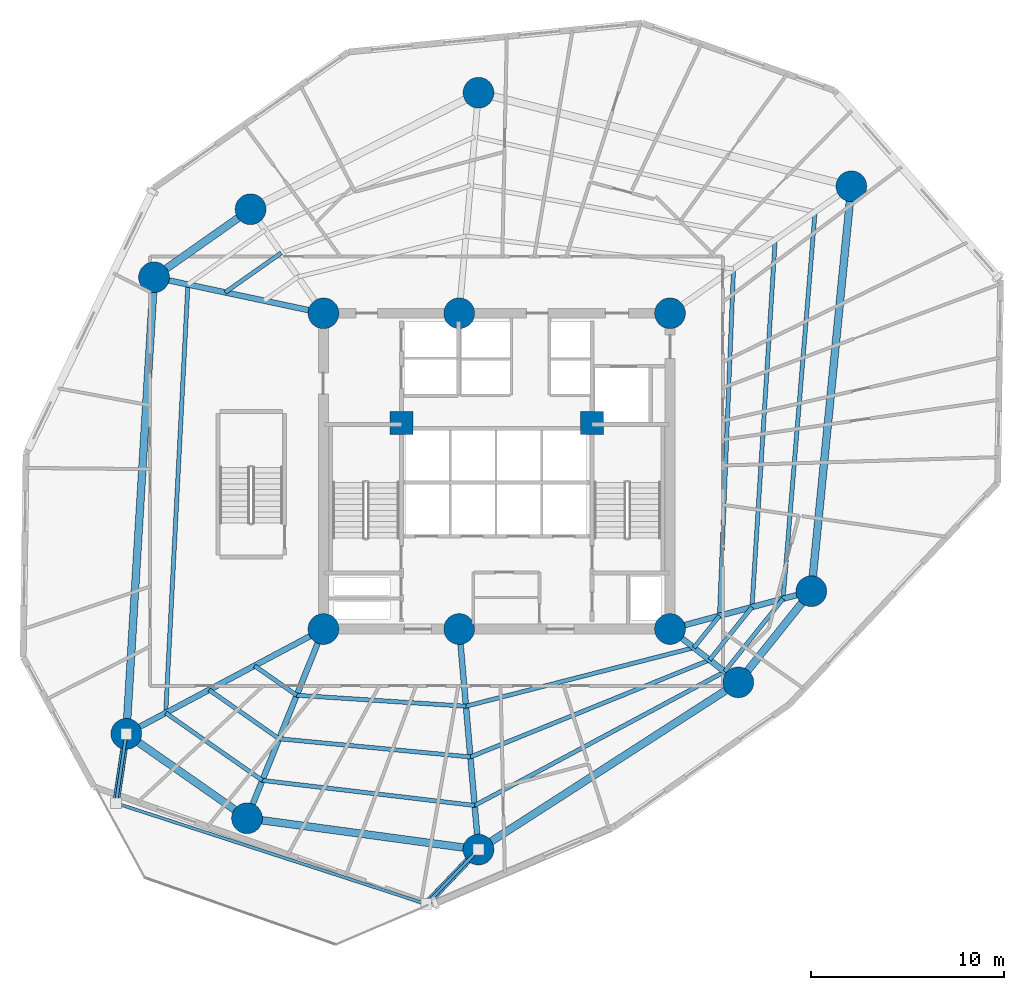
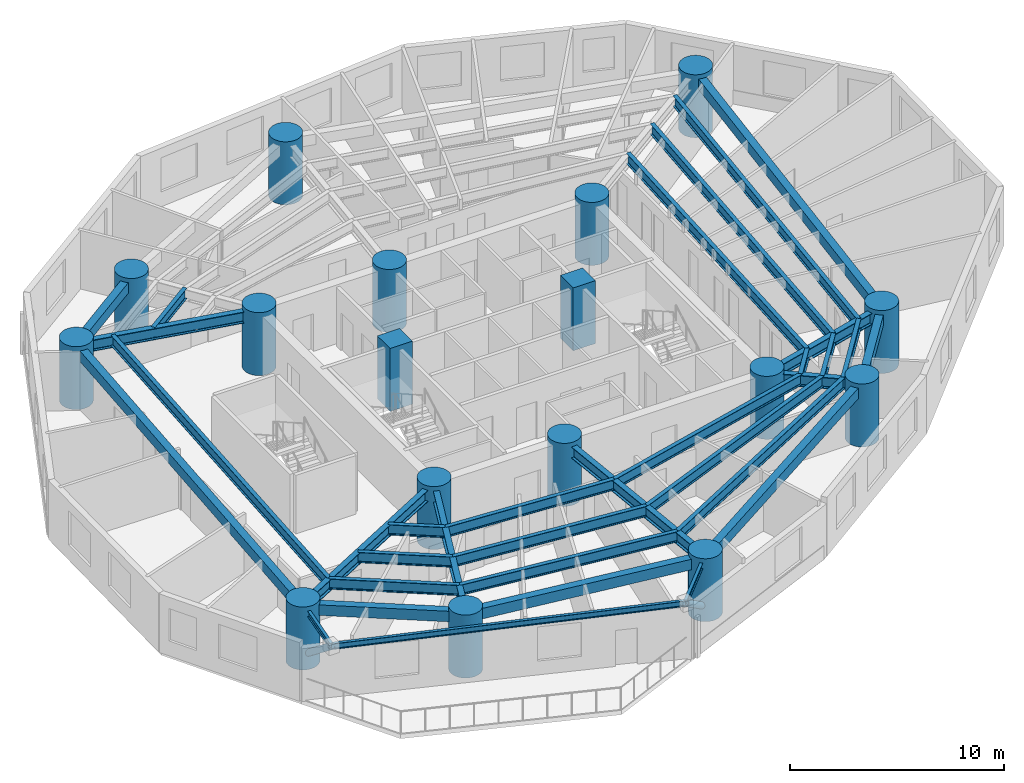
# One storey, part 1 of 11: 33 beams, 17 columns, 2 members.
"""IFC4 building model written with IfcOpenShell, lengths in metres."""

from ifc_helpers import new_model, si_unit, direction, frame, origin, origin_with_axes, origin_2d, place, context, subcontext, project, spatial, rectangle, circle, hollow_circle, i_section, extrude, source, transform, mapped, material, material_profile, profile_set, type_object, element, save


model = new_model("IFC4")

# Units and contexts
model_context = context("Model", 3, precision=1e-05, world=origin(), true_north=direction((0.0, 1.0)))
body_context = subcontext(model_context, "Body", "Model", "MODEL_VIEW")
ifc_project = project(units=[si_unit("LENGTHUNIT", "METRE"), si_unit("AREAUNIT", "SQUARE_METRE"), si_unit("VOLUMEUNIT", "CUBIC_METRE"), si_unit("PLANEANGLEUNIT", "RADIAN"), si_unit("MASSUNIT", "GRAM", prefix="KILO")], contexts=[model_context])

# Site, building, storey
site_placement = place(None, origin())
site = spatial("IfcSite", under=ifc_project, at=site_placement, CompositionType="ELEMENT")
building_placement = place(site_placement, origin())
building = spatial("IfcBuilding", under=site, at=building_placement, Name="Karkom Vertical University and Central Library", CompositionType="ELEMENT")
storey_placement = place(building_placement, frame((0.0, 0.0, 44.5)))
storey = spatial("IfcBuildingStorey", under=building, at=storey_placement, Name="L11", CompositionType="ELEMENT", Elevation=44.5)

# Columns
ifc_material_1 = material(Name="Concrete C50/60", Category="concrete")
ifc_material_profile_1 = material_profile(ifc_material_1, circle(Radius=0.800048828125, at=origin_2d()), Name="CFT-D1600")
ifc_profile_set_1 = profile_set([ifc_material_profile_1], Name="Concrete C50/60")
column_type_1 = type_object("IfcColumnType", Name="STR-COL-C-SC2", PredefinedType="COLUMN", material=ifc_profile_set_1)
shared_shape_1 = source(origin_with_axes(), body_context, "Body", "SweptSolid", [
    extrude(circle(Radius=0.800048828125, at=origin_2d()), origin(), (0.0, 0.0, 1.0), 3.60009765625),
])
for number, where, z_axis, x_axis, name in (
    (1, (19.5, 18.300048828125, 0.0), (0.0, 0.0, 1.0), (1.0, 0.0, 0.0), "Level 11 Spine Mega-Column SC-1"),
    (2, (26.550048828125, 18.300048828125, 0.0), (0.0, 0.0, 1.0), (1.0, 0.0, 0.0), "Level 11 Spine Mega-Column SC-2"),
    (3, (37.5, 18.300048828125, 0.0), (0.0, 0.0, 1.0), (1.0, 0.0, 0.0), "Level 11 Spine Mega-Column SC-3"),
    (4, (19.5, 34.699951171875, 0.0), (0.0, 0.0, 1.0), (1.0, 0.0, 0.0), "Level 11 Spine Mega-Column SC-4"),
    (5, (26.550048828125, 34.699951171875, 0.0), (0.0, 0.0, 1.0), (1.0, 0.0, 0.0), "Level 11 Spine Mega-Column SC-5"),
    (6, (37.5, 34.699951171875, 0.0), (0.0, 0.0, 1.0), (1.0, 0.0, 0.0), "Level 11 Spine Mega-Column SC-6"),
    (7, (44.841064453125, 20.26708984375, 0.0), (0.0, 0.0, 1.0), (1.0, 0.0, 0.0), "Level 11 Perimeter Mega-Column Z1-PC1"),
    (8, (46.919921875, 41.2958984375, 0.0), (0.0, 0.0, 1.0), (1.0, 0.0, 0.0), "Level 11 Perimeter Mega-Column Z1-PC2"),
    (9, (27.552001953125, 46.156005859375, 0.0), (0.0, 0.0, 1.0), (1.0, 0.0, 0.0), "Level 11 Perimeter Mega-Column Z1-PC3"),
    (10, (15.714111328125, 40.10595703125, 0.0), (0.0, 0.0, 1.0), (1.0, 0.0, 0.0), "Level 11 Perimeter Mega-Column Z1-PC4"),
    (11, (10.697021484375, 36.571044921875, 0.0), (0.0, 0.0, 1.0), (1.0, 0.0, 0.0), "Level 11 Perimeter Mega-Column Z1-PC5"),
    (12, (9.258056640625, 12.85400390625, 0.0), (0.0, 0.0, 1.0), (1.0, 0.0, 0.0), "Level 11 Perimeter Mega-Column Z1-PC6"),
    (13, (15.529052734375, 8.471923828125, 0.0), (0.0, 0.0, 1.0), (1.0, 0.0, 0.0), "Level 11 Perimeter Mega-Column Z1-PC7"),
    (14, (27.552001953125, 6.843994140625, 0.0), (0.0, 0.0, 1.0), (1.0, 0.0, 0.0), "Level 11 Perimeter Mega-Column Z1-PC8"),
    (15, (41.0458984375, 15.530029296875, 0.0), (0.0, 0.0, 1.0), (1.0, 0.0, 0.0), "Level 11 Perimeter Mega-Column Z1-PC9"),
):
    element("IfcColumn", number, at=place(storey_placement, frame(where, z_axis=z_axis, x_axis=x_axis)), inside=storey, type_object=column_type_1, Name=name, PredefinedType="COLUMN", context=body_context, shape_type="MappedRepresentation", body=[
        mapped(shared_shape_1, transform((0.0, 0.0, 0.0), scale=1.0)),
    ])
ifc_material_profile_2 = material_profile(ifc_material_1, rectangle(XDim=1.199951171875, YDim=1.199951171875, at=origin_2d()), Name="RC-1200x1200")
ifc_profile_set_2 = profile_set([ifc_material_profile_2], Name="Concrete C50/60")
column_type_2 = type_object("IfcColumnType", Name="STR-COL-C-CC1", PredefinedType="COLUMN", material=ifc_profile_set_2)
shared_shape_2 = source(origin_with_axes(), body_context, "Body", "SweptSolid", [
    extrude(rectangle(XDim=1.199951171875, YDim=1.199951171875, at=origin_2d()), origin(), (0.0, 0.0, 1.0), 3.60009765625),
])
for number, where, z_axis, x_axis, name in (
    (16, (23.550048828125, 29.0, 0.0), (0.0, 0.0, 1.0), (1.0, 0.0, 0.0), "Level 11 Core Node Column CC-1"),
    (17, (33.449951171875, 29.0, 0.0), (0.0, 0.0, 1.0), (1.0, 0.0, 0.0), "Level 11 Core Node Column CC-2"),
):
    element("IfcColumn", number, at=place(storey_placement, frame(where, z_axis=z_axis, x_axis=x_axis)), inside=storey, type_object=column_type_2, Name=name, PredefinedType="COLUMN", context=body_context, shape_type="MappedRepresentation", body=[
        mapped(shared_shape_2, transform((0.0, 0.0, 0.0), scale=1.0)),
    ])

# Beams
ifc_material_2 = material(Name="Steel S355", Category="steel")
ifc_material_profile_3 = material_profile(ifc_material_2, i_section(OverallWidth=0.300048828125, OverallDepth=0.64990234375, WebThickness=0.01611328125, FlangeThickness=0.031005859375, FilletRadius=0.027099609375, at=origin_2d()), Name="HE 650 B")
ifc_profile_set_3 = profile_set([ifc_material_profile_3], Name="Steel S355")
beam_type_1 = type_object("IfcBeamType", Name="STR-BM-SB-HE650", PredefinedType="USERDEFINED", material=ifc_profile_set_3)
shared_shape_3 = source(origin_with_axes(), body_context, "Body", "SweptSolid", [
    extrude(i_section(OverallWidth=0.300048828125, OverallDepth=0.64990234375, WebThickness=0.01611328125, FlangeThickness=0.031005859375, FilletRadius=0.027099609375, at=origin_2d()), origin(), (0.0, 0.0, 1.0), 7.60009765625),
])
beam_1_placement = place(storey_placement, frame((37.5, 18.300048828125, 3.02490234375), z_axis=(0.965925539322, 0.258820116077, 0.0), x_axis=(-0.258820116077, 0.965925539322, 0.0)))
element("IfcBeam", 18, at=beam_1_placement, inside=storey, type_object=beam_type_1, Name="Level 11 Radial Frame Girder 01", ObjectType="GIRDER", PredefinedType="USERDEFINED", context=body_context, shape_type="MappedRepresentation", body=[
    mapped(shared_shape_3, transform((0.0, 0.0, 0.0), scale=1.0)),
])
shared_shape_4 = source(origin_with_axes(), body_context, "Body", "SweptSolid", [
    extrude(i_section(OverallWidth=0.300048828125, OverallDepth=0.64990234375, WebThickness=0.01611328125, FlangeThickness=0.031005859375, FilletRadius=0.027099609375, at=origin_2d()), origin(), (0.0, 0.0, 1.0), 11.499755859375),
])
beam_2_placement = place(storey_placement, frame((26.550048828125, 18.300048828125, 3.02490234375), z_axis=(0.087127973109, -0.99619712723, 0.0), x_axis=(0.99619712723, 0.087127973109, 0.0)))
element("IfcBeam", 19, at=beam_2_placement, inside=storey, type_object=beam_type_1, Name="Level 11 Radial Frame Girder 08", ObjectType="GIRDER", PredefinedType="USERDEFINED", context=body_context, shape_type="MappedRepresentation", body=[
    mapped(shared_shape_4, transform((0.0, 0.0, 0.0), scale=1.0)),
])
shared_shape_5 = source(origin_with_axes(), body_context, "Body", "SweptSolid", [
    extrude(i_section(OverallWidth=0.300048828125, OverallDepth=0.64990234375, WebThickness=0.01611328125, FlangeThickness=0.031005859375, FilletRadius=0.027099609375, at=origin_2d()), origin(), (0.0, 0.0, 1.0), 8.999755859375),
])
beam_3_placement = place(storey_placement, frame((19.5, 34.699951171875, 3.02490234375), z_axis=(-0.978148438993, 0.207907747079, 0.0), x_axis=(-0.207907747079, -0.978148438993, 0.0)))
element("IfcBeam", 20, at=beam_3_placement, inside=storey, type_object=beam_type_1, Name="Level 11 Radial Frame Girder 05", ObjectType="GIRDER", PredefinedType="USERDEFINED", context=body_context, shape_type="MappedRepresentation", body=[
    mapped(shared_shape_5, transform((0.0, 0.0, 0.0), scale=1.0)),
])
shared_shape_6 = source(origin_with_axes(), body_context, "Body", "SweptSolid", [
    extrude(i_section(OverallWidth=0.300048828125, OverallDepth=0.64990234375, WebThickness=0.01611328125, FlangeThickness=0.031005859375, FilletRadius=0.027099609375, at=origin_2d()), origin(), (0.0, 0.0, 1.0), 11.599853515625),
])
beam_4_placement = place(storey_placement, frame((19.5, 18.300048828125, 3.02490234375), z_axis=(-0.882936620635, -0.469492197957, 0.0), x_axis=(0.469492197957, -0.882936620635, 0.0)))
element("IfcBeam", 21, at=beam_4_placement, inside=storey, type_object=beam_type_1, Name="Level 11 Radial Frame Girder 06", ObjectType="GIRDER", PredefinedType="USERDEFINED", context=body_context, shape_type="MappedRepresentation", body=[
    mapped(shared_shape_6, transform((0.0, 0.0, 0.0), scale=1.0)),
])
shared_shape_7 = source(origin_with_axes(), body_context, "Body", "SweptSolid", [
    extrude(i_section(OverallWidth=0.300048828125, OverallDepth=0.64990234375, WebThickness=0.01611328125, FlangeThickness=0.031005859375, FilletRadius=0.027099609375, at=origin_2d()), origin(), (0.0, 0.0, 1.0), 10.60009765625),
])
beam_5_placement = place(storey_placement, frame((19.5, 18.300048828125, 3.02490234375), z_axis=(-0.374616894394, -0.927179692635, 0.0), x_axis=(0.927179692635, -0.374616894394, 0.0)))
element("IfcBeam", 22, at=beam_5_placement, inside=storey, type_object=beam_type_1, Name="Level 11 Radial Frame Girder 07", ObjectType="GIRDER", PredefinedType="USERDEFINED", context=body_context, shape_type="MappedRepresentation", body=[
    mapped(shared_shape_7, transform((0.0, 0.0, 0.0), scale=1.0)),
])
shared_shape_8 = source(origin_with_axes(), body_context, "Body", "SweptSolid", [
    extrude(i_section(OverallWidth=0.300048828125, OverallDepth=0.64990234375, WebThickness=0.01611328125, FlangeThickness=0.031005859375, FilletRadius=0.027099609375, at=origin_2d()), origin(), (0.0, 0.0, 1.0), 4.49951171875),
])
beam_6_placement = place(storey_placement, frame((37.5, 18.300048828125, 3.02490234375), z_axis=(0.788047405801, -0.615614559778, 0.0), x_axis=(0.615614559778, 0.788047405801, 0.0)))
element("IfcBeam", 23, at=beam_6_placement, inside=storey, type_object=beam_type_1, Name="Level 11 Radial Frame Girder 09", ObjectType="GIRDER", PredefinedType="USERDEFINED", context=body_context, shape_type="MappedRepresentation", body=[
    mapped(shared_shape_8, transform((0.0, 0.0, 0.0), scale=1.0)),
])
ifc_material_3 = material(Name="Precast concrete C45/55", Category="concrete")
ifc_material_profile_4 = material_profile(ifc_material_3, rectangle(XDim=0.39990234375, YDim=0.60009765625, at=origin_2d()), Name="SPB-400x600")
ifc_profile_set_4 = profile_set([ifc_material_profile_4], Name="Precast concrete C45/55")
beam_type_2 = type_object("IfcBeamType", Name="STR-BM-SP-1", PredefinedType="SPANDREL", material=ifc_profile_set_4)
shared_shape_9 = source(origin_with_axes(), body_context, "Body", "SweptSolid", [
    extrude(rectangle(XDim=0.39990234375, YDim=0.60009765625, at=origin_2d()), origin(), (0.0, 0.0, 1.0), 21.13134765625),
])
beam_7_placement = place(storey_placement, frame((44.841064453125, 20.26708984375, 3.050048828125), z_axis=(0.0983780471, 0.995149114379, 0.0), x_axis=(-0.995149114379, 0.0983780471, 0.0)))
element("IfcBeam", 24, at=beam_7_placement, inside=storey, type_object=beam_type_2, Name="Level 11 Perimeter Spandrel Beam 01", PredefinedType="SPANDREL", context=body_context, shape_type="MappedRepresentation", body=[
    mapped(shared_shape_9, transform((0.0, 0.0, 0.0), scale=1.0)),
])
shared_shape_10 = source(origin_with_axes(), body_context, "Body", "SweptSolid", [
    extrude(rectangle(XDim=0.39990234375, YDim=0.60009765625, at=origin_2d()), origin(), (0.0, 0.0, 1.0), 6.13720703125),
])
beam_8_placement = place(storey_placement, frame((15.714111328125, 40.10595703125, 3.050048828125), z_axis=(-0.817471365538, -0.575969240955, 0.0), x_axis=(0.575969240955, -0.817471365538, 0.0)))
element("IfcBeam", 25, at=beam_8_placement, inside=storey, type_object=beam_type_2, Name="Level 11 Perimeter Spandrel Beam 04", PredefinedType="SPANDREL", context=body_context, shape_type="MappedRepresentation", body=[
    mapped(shared_shape_10, transform((0.0, 0.0, 0.0), scale=1.0)),
])
shared_shape_11 = source(origin_with_axes(), body_context, "Body", "SweptSolid", [
    extrude(rectangle(XDim=0.39990234375, YDim=0.60009765625, at=origin_2d()), origin(), (0.0, 0.0, 1.0), 23.7607421875),
])
beam_9_placement = place(storey_placement, frame((10.697021484375, 36.571044921875, 3.050048828125), z_axis=(-0.060560827767, -0.998164508556, 0.0), x_axis=(0.998164508556, -0.060560827767, 0.0)))
element("IfcBeam", 26, at=beam_9_placement, inside=storey, type_object=beam_type_2, Name="Level 11 Perimeter Spandrel Beam 05", PredefinedType="SPANDREL", context=body_context, shape_type="MappedRepresentation", body=[
    mapped(shared_shape_11, transform((0.0, 0.0, 0.0), scale=1.0)),
])
shared_shape_12 = source(origin_with_axes(), body_context, "Body", "SweptSolid", [
    extrude(rectangle(XDim=0.39990234375, YDim=0.60009765625, at=origin_2d()), origin(), (0.0, 0.0, 1.0), 7.650390625),
])
beam_10_placement = place(storey_placement, frame((9.258056640625, 12.85400390625, 3.050048828125), z_axis=(0.819699409527, -0.572793922822, 0.0), x_axis=(0.572793922822, 0.819699409527, 0.0)))
element("IfcBeam", 27, at=beam_10_placement, inside=storey, type_object=beam_type_2, Name="Level 11 Perimeter Spandrel Beam 06", PredefinedType="SPANDREL", context=body_context, shape_type="MappedRepresentation", body=[
    mapped(shared_shape_12, transform((0.0, 0.0, 0.0), scale=1.0)),
])
shared_shape_13 = source(origin_with_axes(), body_context, "Body", "SweptSolid", [
    extrude(rectangle(XDim=0.39990234375, YDim=0.60009765625, at=origin_2d()), origin(), (0.0, 0.0, 1.0), 12.132568359375),
])
beam_11_placement = place(storey_placement, frame((15.529052734375, 8.471923828125, 3.050048828125), z_axis=(0.990957319008, -0.134177464223, 0.0), x_axis=(0.134177464223, 0.990957319008, 0.0)))
element("IfcBeam", 28, at=beam_11_placement, inside=storey, type_object=beam_type_2, Name="Level 11 Perimeter Spandrel Beam 07", PredefinedType="SPANDREL", context=body_context, shape_type="MappedRepresentation", body=[
    mapped(shared_shape_13, transform((0.0, 0.0, 0.0), scale=1.0)),
])
shared_shape_14 = source(origin_with_axes(), body_context, "Body", "SweptSolid", [
    extrude(rectangle(XDim=0.39990234375, YDim=0.60009765625, at=origin_2d()), origin(), (0.0, 0.0, 1.0), 16.0478515625),
])
beam_12_placement = place(storey_placement, frame((27.552001953125, 6.843994140625, 3.050048828125), z_axis=(0.84085555045, 0.541259589548, 0.0), x_axis=(-0.541259589548, 0.84085555045, 0.0)))
element("IfcBeam", 29, at=beam_12_placement, inside=storey, type_object=beam_type_2, Name="Level 11 Perimeter Spandrel Beam 08", PredefinedType="SPANDREL", context=body_context, shape_type="MappedRepresentation", body=[
    mapped(shared_shape_14, transform((0.0, 0.0, 0.0), scale=1.0)),
])
shared_shape_15 = source(origin_with_axes(), body_context, "Body", "SweptSolid", [
    extrude(rectangle(XDim=0.39990234375, YDim=0.60009765625, at=origin_2d()), origin(), (0.0, 0.0, 1.0), 6.06982421875),
])
beam_13_placement = place(storey_placement, frame((41.0458984375, 15.530029296875, 3.050048828125), z_axis=(0.625249167344, 0.780425190992, 0.0), x_axis=(-0.780425190992, 0.625249167344, 0.0)))
element("IfcBeam", 30, at=beam_13_placement, inside=storey, type_object=beam_type_2, Name="Level 11 Perimeter Spandrel Beam 09", PredefinedType="SPANDREL", context=body_context, shape_type="MappedRepresentation", body=[
    mapped(shared_shape_15, transform((0.0, 0.0, 0.0), scale=1.0)),
])
ifc_material_profile_5 = material_profile(ifc_material_2, i_section(OverallWidth=0.219970703125, OverallDepth=0.60009765625, WebThickness=0.011962890625, FlangeThickness=0.01904296875, FilletRadius=0.02392578125, at=origin_2d()), Name="IPE 600")
ifc_profile_set_5 = profile_set([ifc_material_profile_5], Name="Steel S355")
beam_type_3 = type_object("IfcBeamType", Name="STR-BM-SB-IPE600", PredefinedType="BEAM", material=ifc_profile_set_5)
shared_shape_16 = source(origin_with_axes(), body_context, "Body", "SweptSolid", [
    extrude(i_section(OverallWidth=0.219970703125, OverallDepth=0.60009765625, WebThickness=0.011962890625, FlangeThickness=0.01904296875, FilletRadius=0.02392578125, at=origin_2d()), origin(), (0.0, 0.0, 1.0), 18.03466796875),
])
beam_14_placement = place(storey_placement, frame((40.0693359375, 18.988525390625, 3.050048828125), z_axis=(0.04035458262, 0.999185422062, 0.0), x_axis=(-0.999185422062, 0.04035458262, 0.0)))
element("IfcBeam", 31, at=beam_14_placement, inside=storey, type_object=beam_type_3, Name="Level 11 Secondary Composite Floor Beam 1.01", PredefinedType="BEAM", context=body_context, shape_type="MappedRepresentation", body=[
    mapped(shared_shape_16, transform((0.0, 0.0, 0.0), scale=1.0)),
])
shared_shape_17 = source(origin_with_axes(), body_context, "Body", "SweptSolid", [
    extrude(i_section(OverallWidth=0.219970703125, OverallDepth=0.60009765625, WebThickness=0.011962890625, FlangeThickness=0.01904296875, FilletRadius=0.02392578125, at=origin_2d()), origin(), (0.0, 0.0, 1.0), 2.677490234375),
])
beam_15_placement = place(storey_placement, frame((15.915283203125, 16.393798828125, 3.050048828125), z_axis=(0.819702839548, -0.572789014243, 0.0), x_axis=(0.572789014243, 0.819702839548, 0.0)))
element("IfcBeam", 32, at=beam_15_placement, inside=storey, type_object=beam_type_3, Name="Level 11 Secondary Composite Floor Beam 1.06", PredefinedType="BEAM", context=body_context, shape_type="MappedRepresentation", body=[
    mapped(shared_shape_17, transform((0.0, 0.0, 0.0), scale=1.0)),
])
shared_shape_18 = source(origin_with_axes(), body_context, "Body", "SweptSolid", [
    extrude(i_section(OverallWidth=0.219970703125, OverallDepth=0.60009765625, WebThickness=0.011962890625, FlangeThickness=0.01904296875, FilletRadius=0.02392578125, at=origin_2d()), origin(), (0.0, 0.0, 1.0), 8.80908203125),
])
beam_16_placement = place(storey_placement, frame((18.110107421875, 14.860107421875, 3.050048828125), z_axis=(0.997905617906, -0.064686766433, 0.0), x_axis=(0.064686766433, 0.997905617906, 0.0)))
element("IfcBeam", 33, at=beam_16_placement, inside=storey, type_object=beam_type_3, Name="Level 11 Secondary Composite Floor Beam 1.07", PredefinedType="BEAM", context=body_context, shape_type="MappedRepresentation", body=[
    mapped(shared_shape_18, transform((0.0, 0.0, 0.0), scale=1.0)),
])
shared_shape_19 = source(origin_with_axes(), body_context, "Body", "SweptSolid", [
    extrude(i_section(OverallWidth=0.219970703125, OverallDepth=0.60009765625, WebThickness=0.011962890625, FlangeThickness=0.01904296875, FilletRadius=0.02392578125, at=origin_2d()), origin(), (0.0, 0.0, 1.0), 12.224609375),
])
beam_17_placement = place(storey_placement, frame((26.900634765625, 14.290283203125, 3.050048828125), z_axis=(0.968580403264, 0.248700628092, 0.0), x_axis=(-0.248700628092, 0.968580403264, 0.0)))
element("IfcBeam", 34, at=beam_17_placement, inside=storey, type_object=beam_type_3, Name="Level 11 Secondary Composite Floor Beam 1.08", PredefinedType="BEAM", context=body_context, shape_type="MappedRepresentation", body=[
    mapped(shared_shape_19, transform((0.0, 0.0, 0.0), scale=1.0)),
])
shared_shape_20 = source(origin_with_axes(), body_context, "Body", "SweptSolid", [
    extrude(i_section(OverallWidth=0.219970703125, OverallDepth=0.60009765625, WebThickness=0.011962890625, FlangeThickness=0.01904296875, FilletRadius=0.02392578125, at=origin_2d()), origin(), (0.0, 0.0, 1.0), 2.124267578125),
])
beam_18_placement = place(storey_placement, frame((38.7412109375, 17.33056640625, 3.050048828125), z_axis=(0.625199471959, 0.780465002587, 0.0), x_axis=(-0.780465002587, 0.625199471959, 0.0)))
element("IfcBeam", 35, at=beam_18_placement, inside=storey, type_object=beam_type_3, Name="Level 11 Secondary Composite Floor Beam 1.09", PredefinedType="BEAM", context=body_context, shape_type="MappedRepresentation", body=[
    mapped(shared_shape_20, transform((0.0, 0.0, 0.0), scale=1.0)),
])
shared_shape_21 = source(origin_with_axes(), body_context, "Body", "SweptSolid", [
    extrude(i_section(OverallWidth=0.219970703125, OverallDepth=0.60009765625, WebThickness=0.011962890625, FlangeThickness=0.01904296875, FilletRadius=0.02392578125, at=origin_2d()), origin(), (0.0, 0.0, 1.0), 19.122802734375),
])
beam_19_placement = place(storey_placement, frame((41.7578125, 19.44091796875, 3.050048828125), z_axis=(0.063056264597, 0.998009973645, 0.0), x_axis=(-0.998009973645, 0.063056264597, 0.0)))
element("IfcBeam", 36, at=beam_19_placement, inside=storey, type_object=beam_type_3, Name="Level 11 Secondary Composite Floor Beam 2.01", PredefinedType="BEAM", context=body_context, shape_type="MappedRepresentation", body=[
    mapped(shared_shape_21, transform((0.0, 0.0, 0.0), scale=1.0)),
])
shared_shape_22 = source(origin_with_axes(), body_context, "Body", "SweptSolid", [
    extrude(i_section(OverallWidth=0.219970703125, OverallDepth=0.60009765625, WebThickness=0.011962890625, FlangeThickness=0.01904296875, FilletRadius=0.02392578125, at=origin_2d()), origin(), (0.0, 0.0, 1.0), 3.5595703125),
])
beam_20_placement = place(storey_placement, frame((17.30419921875, 37.83544921875, 3.050048828125), z_axis=(-0.817465552849, -0.575977490798, 0.0), x_axis=(0.575977490798, -0.817465552849, 0.0)))
element("IfcBeam", 37, at=beam_20_placement, inside=storey, type_object=beam_type_3, Name="Level 11 Secondary Composite Floor Beam 2.04", PredefinedType="BEAM", context=body_context, shape_type="MappedRepresentation", body=[
    mapped(shared_shape_22, transform((0.0, 0.0, 0.0), scale=1.0)),
])
shared_shape_23 = source(origin_with_axes(), body_context, "Body", "SweptSolid", [
    extrude(i_section(OverallWidth=0.219970703125, OverallDepth=0.60009765625, WebThickness=0.011962890625, FlangeThickness=0.01904296875, FilletRadius=0.02392578125, at=origin_2d()), origin(), (0.0, 0.0, 1.0), 4.437255859375),
])
beam_21_placement = place(storey_placement, frame((13.5595703125, 15.141357421875, 3.050048828125), z_axis=(0.819712425733, -0.572775295468, 0.0), x_axis=(0.572775295468, 0.819712425733, 0.0)))
element("IfcBeam", 38, at=beam_21_placement, inside=storey, type_object=beam_type_3, Name="Level 11 Secondary Composite Floor Beam 2.06", PredefinedType="BEAM", context=body_context, shape_type="MappedRepresentation", body=[
    mapped(shared_shape_23, transform((0.0, 0.0, 0.0), scale=1.0)),
])
shared_shape_24 = source(origin_with_axes(), body_context, "Body", "SweptSolid", [
    extrude(i_section(OverallWidth=0.219970703125, OverallDepth=0.60009765625, WebThickness=0.011962890625, FlangeThickness=0.01904296875, FilletRadius=0.02392578125, at=origin_2d()), origin(), (0.0, 0.0, 1.0), 9.97900390625),
])
beam_22_placement = place(storey_placement, frame((17.19677734375, 12.599853515625, 3.050048828125), z_axis=(0.995512389915, -0.094631292526, 0.0), x_axis=(0.094631292526, 0.995512389915, 0.0)))
element("IfcBeam", 39, at=beam_22_placement, inside=storey, type_object=beam_type_3, Name="Level 11 Secondary Composite Floor Beam 2.07", PredefinedType="BEAM", context=body_context, shape_type="MappedRepresentation", body=[
    mapped(shared_shape_24, transform((0.0, 0.0, 0.0), scale=1.0)),
])
shared_shape_25 = source(origin_with_axes(), body_context, "Body", "SweptSolid", [
    extrude(i_section(OverallWidth=0.219970703125, OverallDepth=0.60009765625, WebThickness=0.011962890625, FlangeThickness=0.01904296875, FilletRadius=0.02392578125, at=origin_2d()), origin(), (0.0, 0.0, 1.0), 13.407958984375),
])
beam_23_placement = place(storey_placement, frame((27.131103515625, 11.655517578125, 3.050048828125), z_axis=(0.926727273371, 0.375734694685, 0.0), x_axis=(-0.375734694685, 0.926727273371, 0.0)))
element("IfcBeam", 40, at=beam_23_placement, inside=storey, type_object=beam_type_3, Name="Level 11 Secondary Composite Floor Beam 2.08", PredefinedType="BEAM", context=body_context, shape_type="MappedRepresentation", body=[
    mapped(shared_shape_25, transform((0.0, 0.0, 0.0), scale=1.0)),
])
shared_shape_26 = source(origin_with_axes(), body_context, "Body", "SweptSolid", [
    extrude(i_section(OverallWidth=0.219970703125, OverallDepth=0.60009765625, WebThickness=0.011962890625, FlangeThickness=0.01904296875, FilletRadius=0.02392578125, at=origin_2d()), origin(), (0.0, 0.0, 1.0), 3.5205078125),
])
beam_24_placement = place(storey_placement, frame((39.556640625, 16.693359375, 3.050048828125), z_axis=(0.62523614548, 0.780435623473, 0.0), x_axis=(-0.780435623473, 0.62523614548, 0.0)))
element("IfcBeam", 41, at=beam_24_placement, inside=storey, type_object=beam_type_3, Name="Level 11 Secondary Composite Floor Beam 2.09", PredefinedType="BEAM", context=body_context, shape_type="MappedRepresentation", body=[
    mapped(shared_shape_26, transform((0.0, 0.0, 0.0), scale=1.0)),
])
shared_shape_27 = source(origin_with_axes(), body_context, "Body", "SweptSolid", [
    extrude(i_section(OverallWidth=0.219970703125, OverallDepth=0.60009765625, WebThickness=0.011962890625, FlangeThickness=0.01904296875, FilletRadius=0.02392578125, at=origin_2d()), origin(), (0.0, 0.0, 1.0), 20.171875),
])
beam_25_placement = place(storey_placement, frame((43.372802734375, 19.87353515625, 3.050048828125), z_axis=(0.082445490935, 0.996595575459, 0.0), x_axis=(-0.996595575459, 0.082445490935, 0.0)))
element("IfcBeam", 42, at=beam_25_placement, inside=storey, type_object=beam_type_3, Name="Level 11 Secondary Composite Floor Beam 3.01", PredefinedType="BEAM", context=body_context, shape_type="MappedRepresentation", body=[
    mapped(shared_shape_27, transform((0.0, 0.0, 0.0), scale=1.0)),
])
shared_shape_28 = source(origin_with_axes(), body_context, "Body", "SweptSolid", [
    extrude(i_section(OverallWidth=0.219970703125, OverallDepth=0.60009765625, WebThickness=0.011962890625, FlangeThickness=0.01904296875, FilletRadius=0.02392578125, at=origin_2d()), origin(), (0.0, 0.0, 1.0), 22.283447265625),
])
beam_26_placement = place(storey_placement, frame((12.45751953125, 36.19677734375, 3.050048828125), z_axis=(-0.051658288147, -0.998664819279, 0.0), x_axis=(0.998664819279, -0.051658288147, 0.0)))
element("IfcBeam", 43, at=beam_26_placement, inside=storey, type_object=beam_type_3, Name="Level 11 Secondary Composite Floor Beam 3.05", PredefinedType="BEAM", context=body_context, shape_type="MappedRepresentation", body=[
    mapped(shared_shape_28, transform((0.0, 0.0, 0.0), scale=1.0)),
])
shared_shape_29 = source(origin_with_axes(), body_context, "Body", "SweptSolid", [
    extrude(i_section(OverallWidth=0.219970703125, OverallDepth=0.60009765625, WebThickness=0.011962890625, FlangeThickness=0.01904296875, FilletRadius=0.02392578125, at=origin_2d()), origin(), (0.0, 0.0, 1.0), 6.120361328125),
])
beam_27_placement = place(storey_placement, frame((11.306396484375, 13.943115234375, 3.050048828125), z_axis=(0.81970577287, -0.572784816422, 0.0), x_axis=(0.572784816422, 0.81970577287, 0.0)))
element("IfcBeam", 44, at=beam_27_placement, inside=storey, type_object=beam_type_3, Name="Level 11 Secondary Composite Floor Beam 3.06", PredefinedType="BEAM", context=body_context, shape_type="MappedRepresentation", body=[
    mapped(shared_shape_29, transform((0.0, 0.0, 0.0), scale=1.0)),
])
shared_shape_30 = source(origin_with_axes(), body_context, "Body", "SweptSolid", [
    extrude(i_section(OverallWidth=0.219970703125, OverallDepth=0.60009765625, WebThickness=0.011962890625, FlangeThickness=0.01904296875, FilletRadius=0.02392578125, at=origin_2d()), origin(), (0.0, 0.0, 1.0), 11.10498046875),
])
beam_28_placement = place(storey_placement, frame((16.3232421875, 10.4375, 3.050048828125), z_axis=(0.993100390447, -0.117267278018, 0.0), x_axis=(0.117267278018, 0.993100390447, 0.0)))
element("IfcBeam", 45, at=beam_28_placement, inside=storey, type_object=beam_type_3, Name="Level 11 Secondary Composite Floor Beam 3.07", PredefinedType="BEAM", context=body_context, shape_type="MappedRepresentation", body=[
    mapped(shared_shape_30, transform((0.0, 0.0, 0.0), scale=1.0)),
])
shared_shape_31 = source(origin_with_axes(), body_context, "Body", "SweptSolid", [
    extrude(i_section(OverallWidth=0.219970703125, OverallDepth=0.60009765625, WebThickness=0.011962890625, FlangeThickness=0.01904296875, FilletRadius=0.02392578125, at=origin_2d()), origin(), (0.0, 0.0, 1.0), 14.727783203125),
])
beam_29_placement = place(storey_placement, frame((27.3515625, 9.13525390625, 3.050048828125), z_axis=(0.881697726656, 0.471814708131, 0.0), x_axis=(-0.471814708131, 0.881697726656, 0.0)))
element("IfcBeam", 46, at=beam_29_placement, inside=storey, type_object=beam_type_3, Name="Level 11 Secondary Composite Floor Beam 3.08", PredefinedType="BEAM", context=body_context, shape_type="MappedRepresentation", body=[
    mapped(shared_shape_31, transform((0.0, 0.0, 0.0), scale=1.0)),
])
shared_shape_32 = source(origin_with_axes(), body_context, "Body", "SweptSolid", [
    extrude(i_section(OverallWidth=0.219970703125, OverallDepth=0.60009765625, WebThickness=0.011962890625, FlangeThickness=0.01904296875, FilletRadius=0.02392578125, at=origin_2d()), origin(), (0.0, 0.0, 1.0), 4.855712890625),
])
beam_30_placement = place(storey_placement, frame((40.3369140625, 16.083984375, 3.050048828125), z_axis=(0.62522835738, 0.780441862747, 0.0), x_axis=(-0.780441862747, 0.62522835738, 0.0)))
element("IfcBeam", 47, at=beam_30_placement, inside=storey, type_object=beam_type_3, Name="Level 11 Secondary Composite Floor Beam 3.09", PredefinedType="BEAM", context=body_context, shape_type="MappedRepresentation", body=[
    mapped(shared_shape_32, transform((0.0, 0.0, 0.0), scale=1.0)),
])
ifc_material_profile_6 = material_profile(ifc_material_2, i_section(OverallWidth=0.159912109375, OverallDepth=0.330078125, WebThickness=0.007568359375, FlangeThickness=0.011474609375, FilletRadius=0.01806640625, at=origin_2d()), Name="IPE 330")
ifc_profile_set_6 = profile_set([ifc_material_profile_6], Name="Steel S355")
beam_type_4 = type_object("IfcBeamType", Name="STR-BM-SB-IPE330", PredefinedType="BEAM", material=ifc_profile_set_6)
shared_shape_33 = source(origin_with_axes(), body_context, "Body", "SweptSolid", [
    extrude(i_section(OverallWidth=0.159912109375, OverallDepth=0.330078125, WebThickness=0.007568359375, FlangeThickness=0.011474609375, FilletRadius=0.01806640625, at=origin_2d()), origin(), (0.0, 0.0, 1.0), 3.64013671875),
])
beam_31_placement = place(storey_placement, frame((9.258056640625, 12.85400390625, 3.18505859375), z_axis=(-0.147615624668, -0.989044805534, 0.0), x_axis=(0.989044805534, -0.147615624668, 0.0)))
element("IfcBeam", 48, at=beam_31_placement, inside=storey, type_object=beam_type_4, Name="Level 11 Sky Garden Outrigger Support Beam 1", PredefinedType="BEAM", context=body_context, shape_type="MappedRepresentation", body=[
    mapped(shared_shape_33, transform((0.0, 0.0, 0.0), scale=1.0)),
])

# Member
ifc_material_profile_7 = material_profile(ifc_material_2, hollow_circle(Radius=0.177734375, WallThickness=0.01611328125, at=origin_2d()), Name="CHS 355.6x16")
ifc_profile_set_7 = profile_set([ifc_material_profile_7], Name="Steel S355")
member_type = type_object("IfcMemberType", Name="STR-MEM-BR-3", PredefinedType="BRACE", material=ifc_profile_set_7)
shared_shape_34 = source(origin_with_axes(), body_context, "Body", "SweptSolid", [
    extrude(hollow_circle(Radius=0.177734375, WallThickness=0.01611328125, at=origin_2d()), origin(), (0.0, 0.0, 1.0), 4.614013671875),
])
member_1_placement = place(storey_placement, frame((9.258056640625, 12.85400390625, 0.35009765625), z_axis=(-0.116463674255, -0.780322491705, 0.614437158315), x_axis=(0.989044805534, -0.147615624668, 0.0)))
element("IfcMember", 49, at=member_1_placement, inside=storey, type_object=member_type, Name="Level 11 Sky Garden Knee Strut Brace 1", PredefinedType="BRACE", context=body_context, shape_type="MappedRepresentation", body=[
    mapped(shared_shape_34, transform((0.0, 0.0, 0.0), scale=1.0)),
])

# Beam
shared_shape_35 = source(origin_with_axes(), body_context, "Body", "SweptSolid", [
    extrude(i_section(OverallWidth=0.159912109375, OverallDepth=0.330078125, WebThickness=0.007568359375, FlangeThickness=0.011474609375, FilletRadius=0.01806640625, at=origin_2d()), origin(), (0.0, 0.0, 1.0), 3.9189453125),
])
beam_32_placement = place(storey_placement, frame((27.552001953125, 6.843994140625, 3.18505859375), z_axis=(-0.692188101583, -0.721717141287, 0.0), x_axis=(0.721717141287, -0.692188101583, 0.0)))
element("IfcBeam", 50, at=beam_32_placement, inside=storey, type_object=beam_type_4, Name="Level 11 Sky Garden Outrigger Support Beam 2", PredefinedType="BEAM", context=body_context, shape_type="MappedRepresentation", body=[
    mapped(shared_shape_35, transform((0.0, 0.0, 0.0), scale=1.0)),
])

# Member
shared_shape_36 = source(origin_with_axes(), body_context, "Body", "SweptSolid", [
    extrude(hollow_circle(Radius=0.177734375, WallThickness=0.01611328125, at=origin_2d()), origin(), (0.0, 0.0, 1.0), 4.8369140625),
])
member_2_placement = place(storey_placement, frame((27.552001953125, 6.843994140625, 0.35009765625), z_axis=(-0.560829049754, -0.584754256268, 0.586117084488), x_axis=(0.721717141287, -0.692188101583, 0.0)))
element("IfcMember", 51, at=member_2_placement, inside=storey, type_object=member_type, Name="Level 11 Sky Garden Knee Strut Brace 2", PredefinedType="BRACE", context=body_context, shape_type="MappedRepresentation", body=[
    mapped(shared_shape_36, transform((0.0, 0.0, 0.0), scale=1.0)),
])

# Beam
shared_shape_37 = source(origin_with_axes(), body_context, "Body", "SweptSolid", [
    extrude(i_section(OverallWidth=0.159912109375, OverallDepth=0.330078125, WebThickness=0.007568359375, FlangeThickness=0.011474609375, FilletRadius=0.01806640625, at=origin_2d()), origin(), (0.0, 0.0, 1.0), 16.948486328125),
])
beam_33_placement = place(storey_placement, frame((8.720703125, 9.253662109375, 3.18505859375), z_axis=(0.951043172177, -0.309058060329, 0.0), x_axis=(0.309058060329, 0.951043172177, 0.0)))
element("IfcBeam", 52, at=beam_33_placement, inside=storey, type_object=beam_type_4, Name="Level 11 Sky Garden Perimeter Edge Beam", PredefinedType="BEAM", context=body_context, shape_type="MappedRepresentation", body=[
    mapped(shared_shape_37, transform((0.0, 0.0, 0.0), scale=1.0)),
])

save(model, "model.ifc")
